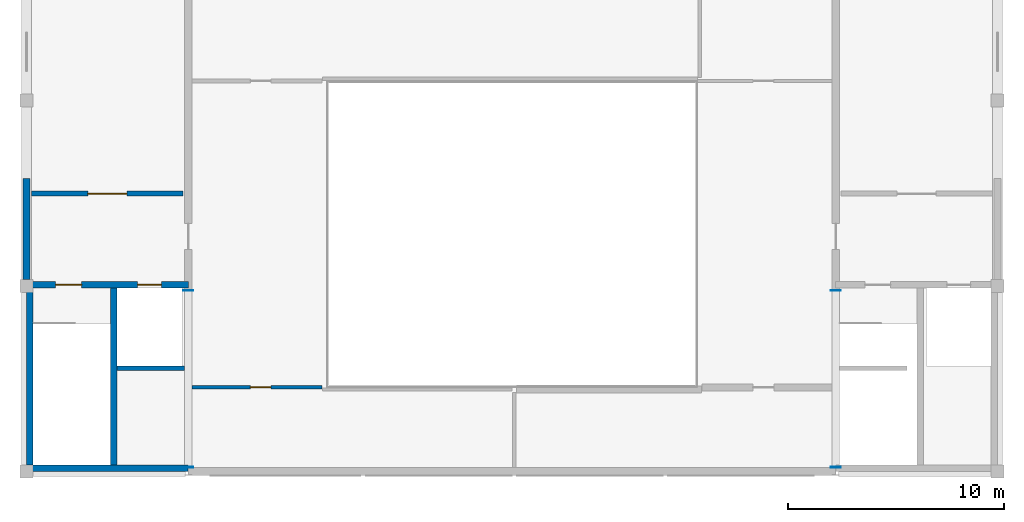
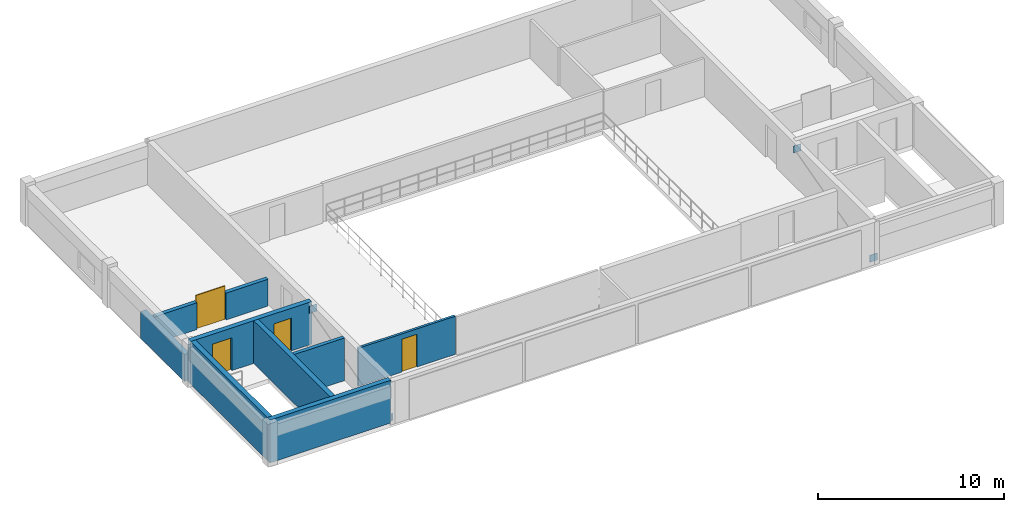
# One storey, part 4 of 6: 8 walls, 4 doors, 4 plates, 4 openings.
"""IFC4 building model written with IfcOpenShell, lengths in metres."""

from ifc_helpers import new_model, si_unit, direction, frame, frame_2d, origin, origin_2d, place, context, subcontext, project, spatial, rectangle, extrude, material, layer, layer_set, type_object, element, fill, save


model = new_model("IFC4")

# Units and contexts
model_context = context("Model", 3, precision=1e-05, world=origin(), true_north=direction((0.0, 1.0)))
body_context = subcontext(model_context, "Body", "Model", "MODEL_VIEW")
ifc_project = project(units=[si_unit("LENGTHUNIT", "METRE"), si_unit("AREAUNIT", "SQUARE_METRE"), si_unit("VOLUMEUNIT", "CUBIC_METRE"), si_unit("PLANEANGLEUNIT", "RADIAN"), si_unit("MASSUNIT", "GRAM", prefix="KILO")], contexts=[model_context])

# Site, building, storey
site_placement = place(None, origin())
site = spatial("IfcSite", under=ifc_project, at=site_placement, CompositionType="ELEMENT")
building_placement = place(site_placement, origin())
building = spatial("IfcBuilding", under=site, at=building_placement, Name="Muzn Square Opera House", CompositionType="ELEMENT")
storey_placement = place(building_placement, frame((0.0, 0.0, 28.199951171875)))
storey = spatial("IfcBuildingStorey", under=building, at=storey_placement, Name="L06", CompositionType="ELEMENT", Elevation=28.199951171875)

# Plates
ifc_material_1 = material(Name="Steel S355", Category="steel")
ifc_layer_1 = layer(ifc_material_1, 0.028076171875, Name="Steel S355", Category="steel")
ifc_layer_set_1 = layer_set([ifc_layer_1], Name="Steel S355")
plate_type = type_object("IfcPlateType", Name="Gusset Plate 28mm 460x460", PredefinedType="USERDEFINED", material=ifc_layer_set_1)
for number, where, z_axis, x_axis, name in (
    (1, (73.0, 72.800048828125, -0.030029296875), (0.0, 0.0, 1.0), (1.0, 0.0, 0.0), "Lateral Brace End Cap Plate SBRC-05-A"),
    (2, (73.0, 80.97998046875, 2.170166015625), (0.0, 0.0, 1.0), (1.0, 0.0, 0.0), "Lateral Brace End Cap Plate SBRC-05-B"),
    (3, (103.0, 72.800048828125, -0.030029296875), (0.0, 0.0, 1.0), (1.0, 0.0, 0.0), "Lateral Brace End Cap Plate SBRC-06-A"),
    (4, (103.0, 80.97998046875, 2.170166015625), (0.0, 0.0, 1.0), (1.0, 0.0, 0.0), "Lateral Brace End Cap Plate SBRC-06-B"),
):
    element("IfcPlate", number, at=place(storey_placement, frame(where, z_axis=z_axis, x_axis=x_axis)), inside=storey, type_object=plate_type, Name=name, ObjectType="GUSSET PLATE", PredefinedType="USERDEFINED", context=body_context, shape_type="SweptSolid", body=[
        extrude(rectangle(XDim=0.4599609375, YDim=0.028076171875, at=origin_2d()), origin(), (0.0, 0.0, 1.0), 0.4599609375),
    ])

# Walls
ifc_material_2 = material(Name="Concrete C45/55", Category="concrete")
ifc_layer_2 = layer(ifc_material_2, 0.300048828125, Name="Concrete C45/55", Category="concrete")
ifc_layer_set_2 = layer_set([ifc_layer_2], Name="Concrete C45/55")
wall_type_1 = type_object("IfcWallType", Name="Core Shear Wall 300mm", PredefinedType="SHEAR", material=ifc_layer_set_2)
for number, where, z_axis, x_axis, name in (
    (5, (65.64990234375, 72.89990234375, 0.0), (0.0, 0.0, 1.0), (0.0, 1.0, 0.0), "Core C1 Shear Wall SW-C1-L06-W"),
    (6, (69.550048828125, 72.89990234375, 0.0), (0.0, 0.0, 1.0), (0.0, 1.0, 0.0), "Core C1 Shear Wall SW-C1-L06-DIV"),
):
    element("IfcWall", number, at=place(storey_placement, frame(where, z_axis=z_axis, x_axis=x_axis)), inside=storey, type_object=wall_type_1, Name=name, PredefinedType="SHEAR", context=body_context, shape_type="SweptSolid", body=[
        extrude(rectangle(XDim=8.2001953125, YDim=0.300048828125, at=frame_2d((4.10009765625, 0.0))), origin(), (0.0, 0.0, 1.0), 2.800048828125),
    ])

# Wall, openings, doors
wall_1_placement = place(storey_placement, frame((65.5, 81.25, 0.0), z_axis=(0.0, 0.0, 1.0), x_axis=(1.0, 0.0, 0.0)))
wall_1 = element("IfcWall", 7, at=wall_1_placement, inside=storey, type_object=wall_type_1, Name="Core C1 Front Shear Wall L06", PredefinedType="SHEAR", context=body_context, shape_type="SweptSolid", body=[
    extrude(rectangle(XDim=7.5, YDim=0.300048828125, at=frame_2d((3.75, 0.0))), origin(), (0.0, 0.0, 1.0), 2.800048828125),
])
opening_1_placement = place(wall_1_placement, frame((1.35009765625, 0.0, 0.0)))
opening_1 = element("IfcOpeningElement", 8, at=opening_1_placement, cuts=wall_1, Name="Opening DR-ST12", PredefinedType="OPENING", context=body_context, shape_type="SweptSolid", body=[
    extrude(rectangle(XDim=1.199951171875, YDim=2.14990234375, at=frame_2d((0.60009765625, 1.074951171875))), frame((0.0, 0.159912109375, 0.0), z_axis=(0.0, -1.0, 0.0), x_axis=(1.0, 0.0, 0.0)), (0.0, 0.0, 1.0), 0.320068359375),
])
opening_2_placement = place(wall_1_placement, frame((5.14990234375, 0.0, 0.0)))
opening_2 = element("IfcOpeningElement", 9, at=opening_2_placement, cuts=wall_1, Name="Opening LD-01", PredefinedType="OPENING", context=body_context, shape_type="SweptSolid", body=[
    extrude(rectangle(XDim=1.10009765625, YDim=2.14990234375, at=frame_2d((0.550048828125, 1.074951171875))), frame((0.0, 0.159912109375, 0.0), z_axis=(0.0, -1.0, 0.0), x_axis=(1.0, 0.0, 0.0)), (0.0, 0.0, 1.0), 0.320068359375),
])
ifc_material_3 = material(Name="Galvanised painted steel leaf", Category="metal")
door_type_1 = type_object("IfcDoorType", Name="Core Stair Fire Door 1200x2150", OperationType="NOTDEFINED", PredefinedType="DOOR", material=ifc_material_3)
door_1_placement = place(opening_1_placement, origin())
door_1 = element("IfcDoor", 10, at=door_1_placement, inside=storey, type_object=door_type_1, Name="Core C1 Stair Door L06", OperationType="SINGLE_SWING_RIGHT", OverallHeight=2.14990234375, OverallWidth=1.199951171875, PredefinedType="DOOR", context=body_context, shape_type="SweptSolid", body=[
    extrude(rectangle(XDim=1.199951171875, YDim=2.14990234375, at=frame_2d((0.60009765625, 1.074951171875))), frame((0.0, 0.02490234375, 0.0), z_axis=(0.0, -1.0, 0.0), x_axis=(1.0, 0.0, 0.0)), (0.0, 0.0, 1.0), 0.050048828125),
])
fill(opening_1, door_1)
ifc_material_4 = material(Name="Brushed stainless steel", Category="metal")
door_type_2 = type_object("IfcDoorType", Name="Lift Landing Sliding Door 1100x2150", OperationType="SLIDING_TO_LEFT", PredefinedType="DOOR", material=ifc_material_4)
door_2_placement = place(opening_2_placement, origin())
door_2 = element("IfcDoor", 11, at=door_2_placement, inside=storey, type_object=door_type_2, Name="Lift FFL-1 Sliding Landing Door L06", OperationType="SLIDING_TO_LEFT", OverallHeight=2.14990234375, OverallWidth=1.10009765625, PredefinedType="DOOR", context=body_context, shape_type="SweptSolid", body=[
    extrude(rectangle(XDim=1.10009765625, YDim=2.14990234375, at=frame_2d((0.550048828125, 1.074951171875))), frame((0.0, 0.02490234375, 0.0), z_axis=(0.0, -1.0, 0.0), x_axis=(1.0, 0.0, 0.0)), (0.0, 0.0, 1.0), 0.050048828125),
])
fill(opening_2, door_2)

# Walls
wall_2_placement = place(storey_placement, frame((65.5, 72.75, 0.0), z_axis=(0.0, 0.0, 1.0), x_axis=(1.0, 0.0, 0.0)))
element("IfcWall", 12, at=wall_2_placement, inside=storey, type_object=wall_type_1, Name="Core C1 Shear Wall SW-C1-L06-S", PredefinedType="SHEAR", context=body_context, shape_type="SweptSolid", body=[
    extrude(rectangle(XDim=7.485107421875, YDim=0.300048828125, at=frame_2d((3.74267578125, 0.0))), origin(), (0.0, 0.0, 1.0), 2.800048828125),
])
ifc_material_5 = material(Name="Concrete C40/50", Category="concrete")
ifc_layer_3 = layer(ifc_material_5, 0.340087890625, Name="Concrete C40/50", Category="concrete")
ifc_layer_set_3 = layer_set([ifc_layer_3], Name="Concrete C40/50")
wall_type_2 = type_object("IfcWallType", Name="Exterior Insulated Spandrel Wall 340mm", PredefinedType="SOLIDWALL", material=ifc_layer_set_3)
wall_3_placement = place(storey_placement, frame((65.5, 81.5, 0.0), z_axis=(0.0, 0.0, 1.0), x_axis=(0.0, 1.0, 0.0)))
element("IfcWall", 13, at=wall_3_placement, inside=storey, type_object=wall_type_2, Name="Exterior Facade Wall EW-L06-285", PredefinedType="SOLIDWALL", context=body_context, shape_type="SweptSolid", body=[
    extrude(rectangle(XDim=4.679931640625, YDim=0.340087890625, at=frame_2d((2.33984375, 0.0))), origin(), (0.0, 0.0, 1.0), 1.760009765625),
])

# Wall, opening, door
ifc_layer_4 = layer(ifc_material_5, 0.239990234375, Name="Concrete C40/50", Category="concrete")
ifc_layer_set_4 = layer_set([ifc_layer_4], Name="Concrete C40/50")
wall_type_3 = type_object("IfcWallType", Name="Firefighting Lobby Wall 240mm", PredefinedType="SOLIDWALL", material=ifc_layer_set_4)
wall_4_placement = place(storey_placement, frame((65.739990234375, 85.47998046875, 0.0), z_axis=(0.0, 0.0, 1.0), x_axis=(1.0, 0.0, 0.0)))
wall_4 = element("IfcWall", 14, at=wall_4_placement, inside=storey, type_object=wall_type_3, Name="Lobby C1 Enclosure Wall L06", PredefinedType="SOLIDWALL", context=body_context, shape_type="SweptSolid", body=[
    extrude(rectangle(XDim=7.02001953125, YDim=0.239990234375, at=frame_2d((3.510009765625, 0.0))), origin(), (0.0, 0.0, 1.0), 1.760009765625),
])
opening_3_placement = place(wall_4_placement, frame((2.610107421875, 0.0, 0.0)))
opening_3 = element("IfcOpeningElement", 15, at=opening_3_placement, cuts=wall_4, Name="Opening DR-FL18", PredefinedType="OPENING", context=body_context, shape_type="SweptSolid", body=[
    extrude(rectangle(XDim=1.800048828125, YDim=2.179931640625, at=frame_2d((0.89990234375, 1.08984375))), frame((0.0, 0.1298828125, 0.0), z_axis=(0.0, -1.0, 0.0), x_axis=(1.0, 0.0, 0.0)), (0.0, 0.0, 1.0), 0.260009765625),
])
door_type_3 = type_object("IfcDoorType", Name="Firefighting Lobby Double Door 1800x2180", OperationType="DOUBLE_DOOR_SINGLE_SWING", PredefinedType="DOOR", material=ifc_material_3)
door_3_placement = place(opening_3_placement, origin())
door_3 = element("IfcDoor", 16, at=door_3_placement, inside=storey, type_object=door_type_3, Name="Lobby C1 Fire Door L06", OperationType="DOUBLE_DOOR_SINGLE_SWING", OverallHeight=2.179931640625, OverallWidth=1.800048828125, PredefinedType="DOOR", context=body_context, shape_type="SweptSolid", body=[
    extrude(rectangle(XDim=1.800048828125, YDim=2.179931640625, at=frame_2d((0.89990234375, 1.08984375))), frame((0.0, 0.02490234375, 0.0), z_axis=(0.0, -1.0, 0.0), x_axis=(1.0, 0.0, 0.0)), (0.0, 0.0, 1.0), 0.050048828125),
])
fill(opening_3, door_3)

# Wall
ifc_layer_5 = layer(ifc_material_5, 0.219970703125, Name="Concrete C40/50", Category="concrete")
ifc_layer_set_5 = layer_set([ifc_layer_5], Name="Concrete C40/50")
wall_type_4 = type_object("IfcWallType", Name="Lift Lobby Wall 220mm", PredefinedType="SOLIDWALL", material=ifc_layer_set_5)
wall_5_placement = place(storey_placement, frame((69.699951171875, 77.3798828125, 0.0), z_axis=(0.0, 0.0, 1.0), x_axis=(1.0, 0.0, 0.0)))
element("IfcWall", 17, at=wall_5_placement, inside=storey, type_object=wall_type_4, Name="Core C1 Lift Shaft South Wall L06", PredefinedType="SOLIDWALL", context=body_context, shape_type="SweptSolid", body=[
    extrude(rectangle(XDim=3.1201171875, YDim=0.219970703125, at=frame_2d((1.56005859375, 0.0))), origin(), (0.0, 0.0, 1.0), 2.800048828125),
])

# Wall, opening, door
ifc_material_6 = material(Name="Acoustic gypsum stud partition", Category="gypsum")
ifc_layer_6 = layer(ifc_material_6, 0.14990234375, Name="Acoustic gypsum stud partition", Category="gypsum")
ifc_layer_set_6 = layer_set([ifc_layer_6], Name="Acoustic gypsum stud partition")
wall_type_5 = type_object("IfcWallType", Name="Office Acoustic Partition 150mm", PredefinedType="PARTITIONING", material=ifc_layer_set_6)
wall_6_placement = place(storey_placement, frame((73.179931640625, 76.5, 0.0), z_axis=(0.0, 0.0, 1.0), x_axis=(1.0, 0.0, 0.0)))
wall_6 = element("IfcWall", 18, at=wall_6_placement, inside=storey, type_object=wall_type_5, Name="Interior Partition PW-L06-0426", PredefinedType="PARTITIONING", context=body_context, shape_type="SweptSolid", body=[
    extrude(rectangle(XDim=6.02001953125, YDim=0.14990234375, at=frame_2d((3.010009765625, 0.0))), origin(), (0.0, 0.0, 1.0), 2.5),
])
opening_4_placement = place(wall_6_placement, frame((2.695068359375, 0.0, 0.0)))
opening_4 = element("IfcOpeningElement", 19, at=opening_4_placement, cuts=wall_6, Name="Opening DR-OF95", PredefinedType="OPENING", context=body_context, shape_type="SweptSolid", body=[
    extrude(rectangle(XDim=0.949951171875, YDim=2.14990234375, at=frame_2d((0.47509765625, 1.074951171875))), frame((0.0, 0.0849609375, 0.0), z_axis=(0.0, -1.0, 0.0), x_axis=(1.0, 0.0, 0.0)), (0.0, 0.0, 1.0), 0.169921875),
])
ifc_material_7 = material(Name="Acoustic hardwood leaf", Category="wood")
door_type_4 = type_object("IfcDoorType", Name="Office Room Door 950x2150", OperationType="NOTDEFINED", PredefinedType="DOOR", material=ifc_material_7)
door_4_placement = place(opening_4_placement, origin())
door_4 = element("IfcDoor", 20, at=door_4_placement, inside=storey, type_object=door_type_4, Name="Stage Hoist Control Room Door DR-L06-0131", OperationType="SINGLE_SWING_RIGHT", OverallHeight=2.14990234375, OverallWidth=0.949951171875, PredefinedType="DOOR", context=body_context, shape_type="SweptSolid", body=[
    extrude(rectangle(XDim=0.949951171875, YDim=2.14990234375, at=frame_2d((0.47509765625, 1.074951171875))), frame((0.0, 0.02490234375, 0.0), z_axis=(0.0, -1.0, 0.0), x_axis=(1.0, 0.0, 0.0)), (0.0, 0.0, 1.0), 0.050048828125),
])
fill(opening_4, door_4)

save(model, "model.ifc")
